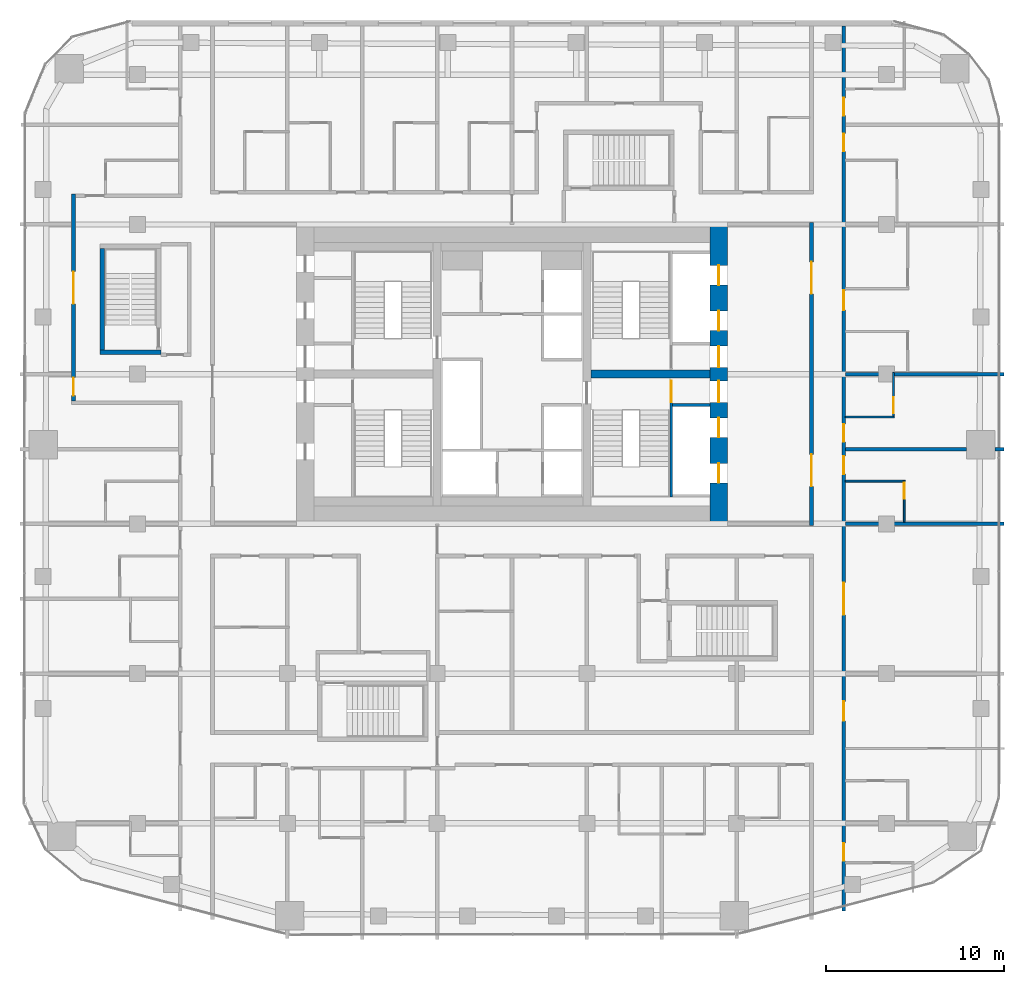
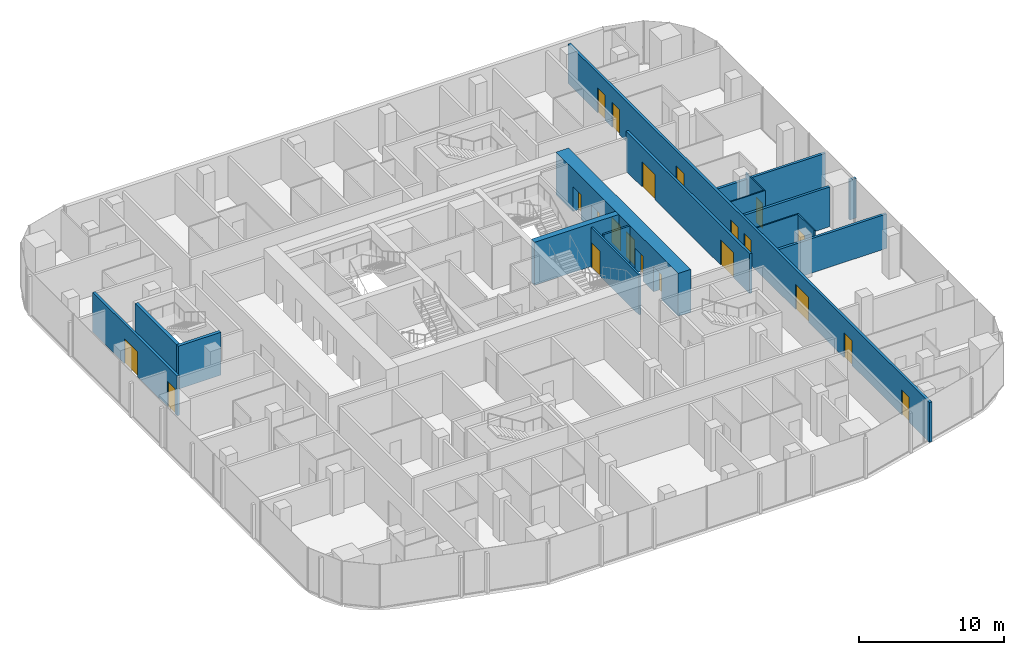
# One storey, part 17 of 23: 21 doors, 17 walls, 21 openings.
"""IFC4 building model written with IfcOpenShell, lengths in metres."""

from ifc_helpers import new_model, si_unit, direction, frame, frame_2d, origin, place, context, subcontext, project, spatial, rectangle, extrude, material, layer, layer_set, type_object, element, fill, save


model = new_model("IFC4")

# Units and contexts
model_context = context("Model", 3, precision=1e-05, world=origin(), true_north=direction((0.0, 1.0)))
body_context = subcontext(model_context, "Body", "Model", "MODEL_VIEW")
ifc_project = project(units=[si_unit("LENGTHUNIT", "METRE"), si_unit("AREAUNIT", "SQUARE_METRE"), si_unit("VOLUMEUNIT", "CUBIC_METRE"), si_unit("PLANEANGLEUNIT", "RADIAN"), si_unit("MASSUNIT", "GRAM", prefix="KILO")], contexts=[model_context])

# Site, building, storey
site_placement = place(None, origin())
site = spatial("IfcSite", under=ifc_project, at=site_placement, CompositionType="ELEMENT")
building_placement = place(site_placement, origin())
building = spatial("IfcBuilding", under=site, at=building_placement, Name="Marenta Gate Hotel Tower", CompositionType="ELEMENT")
storey_placement = place(building_placement, frame((0.0, 0.0, 119.300048828125)))
storey = spatial("IfcBuildingStorey", under=building, at=storey_placement, Name="L26", CompositionType="ELEMENT", Elevation=119.300048828125)

# Wall, openings, doors
ifc_material_1 = material(Name="Concrete blockwork", Category="masonry")
ifc_layer_1 = layer(ifc_material_1, 0.199951171875)
ifc_layer_set_1 = layer_set([ifc_layer_1], Name="Concrete blockwork")
wall_type_1 = type_object("IfcWallType", Name="Core boundary wall 200 REI 180", PredefinedType="PARTITIONING", material=ifc_layer_set_1)
wall_1_placement = place(storey_placement, frame((16.800048828125, -0.10009765625, 0.0), z_axis=(0.0, 0.0, 1.0), x_axis=(0.0, 1.0, 0.0)))
wall_1 = element("IfcWall", 1, at=wall_1_placement, inside=storey, type_object=wall_type_1, Name="L26-CP-BW-E", PredefinedType="PARTITIONING", context=body_context, shape_type="SweptSolid", body=[
    extrude(rectangle(XDim=17.0, YDim=0.199951171875, at=frame_2d((8.5, 0.0))), origin(), (0.0, 0.0, 1.0), 3.33984375),
])
opening_1_placement = place(wall_1_placement, frame((2.199951171875, 0.0, 0.0)))
opening_1 = element("IfcOpeningElement", 2, at=opening_1_placement, cuts=wall_1, Name="Opening ED-Ea-B", PredefinedType="OPENING", context=body_context, shape_type="SweptSolid", body=[
    extrude(rectangle(XDim=1.800048828125, YDim=2.10009765625, at=frame_2d((0.89990234375, 1.050048828125))), frame((0.0, 0.10009765625, 0.0), z_axis=(0.0, -1.0, 0.0), x_axis=(1.0, 0.0, 0.0)), (0.0, 0.0, 1.0), 0.199951171875),
])
opening_2_placement = place(wall_1_placement, frame((13.0, 0.0, 0.0)))
opening_2 = element("IfcOpeningElement", 3, at=opening_2_placement, cuts=wall_1, Name="Opening ED-Eb-B", PredefinedType="OPENING", context=body_context, shape_type="SweptSolid", body=[
    extrude(rectangle(XDim=1.800048828125, YDim=2.10009765625, at=frame_2d((0.89990234375, 1.050048828125))), frame((0.0, 0.10009765625, 0.0), z_axis=(0.0, -1.0, 0.0), x_axis=(1.0, 0.0, 0.0)), (0.0, 0.0, 1.0), 0.199951171875),
])
ifc_material_2 = material(Name="Steel", Category="steel")
door_type_1 = type_object("IfcDoorType", Name="Core lobby entrance door 1800x2100 EI 60", OperationType="DOUBLE_DOOR_SINGLE_SWING", PredefinedType="DOOR", material=ifc_material_2)
door_1_placement = place(opening_1_placement, origin())
door_1 = element("IfcDoor", 4, at=door_1_placement, inside=storey, type_object=door_type_1, Name="ED-Ea-B", OperationType="DOUBLE_DOOR_SINGLE_SWING", OverallHeight=2.10009765625, OverallWidth=1.800048828125, PredefinedType="DOOR", context=body_context, shape_type="SweptSolid", body=[
    extrude(rectangle(XDim=1.800048828125, YDim=2.10009765625, at=frame_2d((0.89990234375, 1.050048828125))), frame((0.0, 0.02490234375, 0.0), z_axis=(0.0, -1.0, 0.0), x_axis=(1.0, 0.0, 0.0)), (0.0, 0.0, 1.0), 0.050048828125),
])
fill(opening_1, door_1)
door_2_placement = place(opening_2_placement, origin())
door_2 = element("IfcDoor", 5, at=door_2_placement, inside=storey, type_object=door_type_1, Name="ED-Eb-B", OperationType="DOUBLE_DOOR_SINGLE_SWING", OverallHeight=2.10009765625, OverallWidth=1.800048828125, PredefinedType="DOOR", context=body_context, shape_type="SweptSolid", body=[
    extrude(rectangle(XDim=1.800048828125, YDim=2.10009765625, at=frame_2d((0.89990234375, 1.050048828125))), frame((0.0, 0.02490234375, 0.0), z_axis=(0.0, -1.0, 0.0), x_axis=(1.0, 0.0, 0.0)), (0.0, 0.0, 1.0), 0.050048828125),
])
fill(opening_2, door_2)

# Wall
ifc_material_3 = material(Name="Concrete C40", Category="concrete")
ifc_layer_2 = layer(ifc_material_3, 0.14990234375)
ifc_layer_set_2 = layer_set([ifc_layer_2], Name="Concrete C40")
wall_type_2 = type_object("IfcWallType", Name="Core shaft wall 150 REI 180", PredefinedType="SHEAR", material=ifc_layer_set_2)
wall_2_placement = place(storey_placement, frame((9.0, 6.675048828125, 0.0), z_axis=(0.0, 0.0, 1.0), x_axis=(1.0, 0.0, 0.0)))
element("IfcWall", 6, at=wall_2_placement, inside=storey, type_object=wall_type_2, Name="L26-SHF-SW-ES-2", PredefinedType="SHEAR", context=body_context, shape_type="SweptSolid", body=[
    extrude(rectangle(XDim=2.10009765625, YDim=0.14990234375, at=frame_2d((1.050048828125, 0.0))), origin(), (0.0, 0.0, 1.0), 3.599853515625),
])

# Wall, opening, door
ifc_material_4 = material(Name="Concrete C40", Category="concrete")
ifc_layer_3 = layer(ifc_material_4, 0.14990234375)
ifc_layer_set_3 = layer_set([ifc_layer_3], Name="Concrete C40")
wall_type_3 = type_object("IfcWallType", Name="Core stair enclosure wall 150 REI 180", PredefinedType="SHEAR", material=ifc_layer_set_3)
wall_3_placement = place(storey_placement, frame((8.925048828125, 1.5, 0.0), z_axis=(0.0, 0.0, 1.0), x_axis=(0.0, 1.0, 0.0)))
wall_3 = element("IfcWall", 7, at=wall_3_placement, inside=storey, type_object=wall_type_3, Name="L26-SHF-SW-ES-3", PredefinedType="SHEAR", context=body_context, shape_type="SweptSolid", body=[
    extrude(rectangle(XDim=6.60009765625, YDim=0.14990234375, at=frame_2d((3.300048828125, 0.0))), origin(), (0.0, 0.0, 1.0), 3.33984375),
])
opening_3_placement = place(wall_3_placement, frame((5.324951171875, 0.0, 0.0)))
opening_3 = element("IfcOpeningElement", 8, at=opening_3_placement, cuts=wall_3, Name="Opening SD-ES", PredefinedType="OPENING", context=body_context, shape_type="SweptSolid", body=[
    extrude(rectangle(XDim=1.199951171875, YDim=2.10009765625, at=frame_2d((0.60009765625, 1.050048828125))), frame((0.0, 0.074951171875, 0.0), z_axis=(0.0, -1.0, 0.0), x_axis=(1.0, 0.0, 0.0)), (0.0, 0.0, 1.0), 0.14990234375),
])
ifc_material_5 = material(Name="Steel", Category="steel")
door_type_2 = type_object("IfcDoorType", Name="Core stair door 1200x2100 FD60", OperationType="SINGLE_SWING_LEFT", PredefinedType="DOOR", material=ifc_material_5)
door_3_placement = place(opening_3_placement, origin())
door_3 = element("IfcDoor", 9, at=door_3_placement, inside=storey, type_object=door_type_2, Name="SD-ES", OperationType="SINGLE_SWING_LEFT", OverallHeight=2.10009765625, OverallWidth=1.199951171875, PredefinedType="DOOR", context=body_context, shape_type="SweptSolid", body=[
    extrude(rectangle(XDim=1.199951171875, YDim=2.10009765625, at=frame_2d((0.60009765625, 1.050048828125))), frame((0.0, 0.02490234375, 0.0), z_axis=(0.0, -1.0, 0.0), x_axis=(1.0, 0.0, 0.0)), (0.0, 0.0, 1.0), 0.050048828125),
])
fill(opening_3, door_3)

# Wall, openings, doors
ifc_material_6 = material(Name="Concrete C70", Category="concrete")
ifc_layer_4 = layer(ifc_material_6, 1.0)
ifc_layer_set_4 = layer_set([ifc_layer_4], Name="Concrete C70")
wall_type_4 = type_object("IfcWallType", Name="Core wall 1000 C70", PredefinedType="SHEAR", material=ifc_layer_set_4)
wall_4_placement = place(storey_placement, frame((11.60009765625, 0.0, 0.0), z_axis=(0.0, 0.0, 1.0), x_axis=(0.0, 1.0, 0.0)))
wall_4 = element("IfcWall", 10, at=wall_4_placement, inside=storey, type_object=wall_type_4, Name="L26-CORE-E", PredefinedType="SHEAR", context=body_context, shape_type="SweptSolid", body=[
    extrude(rectangle(XDim=16.800048828125, YDim=1.0, at=frame_2d((8.39990234375, 0.0))), origin(), (0.0, 0.0, 1.0), 3.599853515625),
])
opening_4_placement = place(wall_4_placement, frame((2.300048828125, 0.0, 0.0)))
opening_4 = element("IfcOpeningElement", 11, at=opening_4_placement, cuts=wall_4, Name="Opening LD-HR1", PredefinedType="OPENING", context=body_context, shape_type="SweptSolid", body=[
    extrude(rectangle(XDim=1.10009765625, YDim=2.10009765625, at=frame_2d((0.550048828125, 1.050048828125))), frame((0.0, 0.5, 0.0), z_axis=(0.0, -1.0, 0.0), x_axis=(1.0, 0.0, 0.0)), (0.0, 0.0, 1.0), 1.0),
])
opening_5_placement = place(wall_4_placement, frame((4.85009765625, 0.0, 0.0)))
opening_5 = element("IfcOpeningElement", 12, at=opening_5_placement, cuts=wall_4, Name="Opening LD-HR2", PredefinedType="OPENING", context=body_context, shape_type="SweptSolid", body=[
    extrude(rectangle(XDim=1.10009765625, YDim=2.10009765625, at=frame_2d((0.550048828125, 1.050048828125))), frame((0.0, 0.5, 0.0), z_axis=(0.0, -1.0, 0.0), x_axis=(1.0, 0.0, 0.0)), (0.0, 0.0, 1.0), 1.0),
])
opening_6_placement = place(wall_4_placement, frame((6.824951171875, 0.0, 0.0)))
opening_6 = element("IfcOpeningElement", 13, at=opening_6_placement, cuts=wall_4, Name="Opening PD-ES", PredefinedType="OPENING", context=body_context, shape_type="SweptSolid", body=[
    extrude(rectangle(XDim=1.199951171875, YDim=2.10009765625, at=frame_2d((0.60009765625, 1.050048828125))), frame((0.0, 0.5, 0.0), z_axis=(0.0, -1.0, 0.0), x_axis=(1.0, 0.0, 0.0)), (0.0, 0.0, 1.0), 1.0),
])
opening_7_placement = place(wall_4_placement, frame((13.39990234375, 0.0, 0.0)))
opening_7 = element("IfcOpeningElement", 14, at=opening_7_placement, cuts=wall_4, Name="Opening LD-HR4", PredefinedType="OPENING", context=body_context, shape_type="SweptSolid", body=[
    extrude(rectangle(XDim=1.10009765625, YDim=2.10009765625, at=frame_2d((0.550048828125, 1.050048828125))), frame((0.0, 0.5, 0.0), z_axis=(0.0, -1.0, 0.0), x_axis=(1.0, 0.0, 0.0)), (0.0, 0.0, 1.0), 1.0),
])
opening_8_placement = place(wall_4_placement, frame((10.85009765625, 0.0, 0.0)))
opening_8 = element("IfcOpeningElement", 15, at=opening_8_placement, cuts=wall_4, Name="Opening LD-HR3", PredefinedType="OPENING", context=body_context, shape_type="SweptSolid", body=[
    extrude(rectangle(XDim=1.10009765625, YDim=2.10009765625, at=frame_2d((0.550048828125, 1.050048828125))), frame((0.0, 0.5, 0.0), z_axis=(0.0, -1.0, 0.0), x_axis=(1.0, 0.0, 0.0)), (0.0, 0.0, 1.0), 1.0),
])
opening_9_placement = place(wall_4_placement, frame((8.77490234375, 0.0, 0.0)))
opening_9 = element("IfcOpeningElement", 16, at=opening_9_placement, cuts=wall_4, Name="Opening PD-EN", PredefinedType="OPENING", context=body_context, shape_type="SweptSolid", body=[
    extrude(rectangle(XDim=1.199951171875, YDim=2.10009765625, at=frame_2d((0.60009765625, 1.050048828125))), frame((0.0, 0.5, 0.0), z_axis=(0.0, -1.0, 0.0), x_axis=(1.0, 0.0, 0.0)), (0.0, 0.0, 1.0), 1.0),
])
ifc_material_7 = material(Name="Steel", Category="steel")
door_type_3 = type_object("IfcDoorType", Name="Core lift landing door 1100x2100 E 60", OperationType="SLIDING_TO_LEFT", PredefinedType="DOOR", material=ifc_material_7)
door_4_placement = place(opening_4_placement, origin())
door_4 = element("IfcDoor", 17, at=door_4_placement, inside=storey, type_object=door_type_3, Name="LD-HR1", OperationType="SLIDING_TO_LEFT", OverallHeight=2.10009765625, OverallWidth=1.10009765625, PredefinedType="DOOR", context=body_context, shape_type="SweptSolid", body=[
    extrude(rectangle(XDim=1.10009765625, YDim=2.10009765625, at=frame_2d((0.550048828125, 1.050048828125))), frame((0.0, 0.02490234375, 0.0), z_axis=(0.0, -1.0, 0.0), x_axis=(1.0, 0.0, 0.0)), (0.0, 0.0, 1.0), 0.050048828125),
])
fill(opening_4, door_4)
door_5_placement = place(opening_5_placement, origin())
door_5 = element("IfcDoor", 18, at=door_5_placement, inside=storey, type_object=door_type_3, Name="LD-HR2", OperationType="SLIDING_TO_LEFT", OverallHeight=2.10009765625, OverallWidth=1.10009765625, PredefinedType="DOOR", context=body_context, shape_type="SweptSolid", body=[
    extrude(rectangle(XDim=1.10009765625, YDim=2.10009765625, at=frame_2d((0.550048828125, 1.050048828125))), frame((0.0, 0.02490234375, 0.0), z_axis=(0.0, -1.0, 0.0), x_axis=(1.0, 0.0, 0.0)), (0.0, 0.0, 1.0), 0.050048828125),
])
fill(opening_5, door_5)
door_6_placement = place(opening_7_placement, origin())
door_6 = element("IfcDoor", 19, at=door_6_placement, inside=storey, type_object=door_type_3, Name="LD-HR4", OperationType="SLIDING_TO_LEFT", OverallHeight=2.10009765625, OverallWidth=1.10009765625, PredefinedType="DOOR", context=body_context, shape_type="SweptSolid", body=[
    extrude(rectangle(XDim=1.10009765625, YDim=2.10009765625, at=frame_2d((0.550048828125, 1.050048828125))), frame((0.0, 0.02490234375, 0.0), z_axis=(0.0, -1.0, 0.0), x_axis=(1.0, 0.0, 0.0)), (0.0, 0.0, 1.0), 0.050048828125),
])
fill(opening_7, door_6)
door_7_placement = place(opening_8_placement, origin())
door_7 = element("IfcDoor", 20, at=door_7_placement, inside=storey, type_object=door_type_3, Name="LD-HR3", OperationType="SLIDING_TO_LEFT", OverallHeight=2.10009765625, OverallWidth=1.10009765625, PredefinedType="DOOR", context=body_context, shape_type="SweptSolid", body=[
    extrude(rectangle(XDim=1.10009765625, YDim=2.10009765625, at=frame_2d((0.550048828125, 1.050048828125))), frame((0.0, 0.02490234375, 0.0), z_axis=(0.0, -1.0, 0.0), x_axis=(1.0, 0.0, 0.0)), (0.0, 0.0, 1.0), 0.050048828125),
])
fill(opening_8, door_7)
ifc_material_8 = material(Name="Steel", Category="steel")
door_type_4 = type_object("IfcDoorType", Name="Core lobby door 1200x2100 FD60", OperationType="SINGLE_SWING_LEFT", PredefinedType="DOOR", material=ifc_material_8)
door_8_placement = place(opening_6_placement, origin())
door_8 = element("IfcDoor", 21, at=door_8_placement, inside=storey, type_object=door_type_4, Name="PD-ES", OperationType="SINGLE_SWING_LEFT", OverallHeight=2.10009765625, OverallWidth=1.199951171875, PredefinedType="DOOR", context=body_context, shape_type="SweptSolid", body=[
    extrude(rectangle(XDim=1.199951171875, YDim=2.10009765625, at=frame_2d((0.60009765625, 1.050048828125))), frame((0.0, 0.02490234375, 0.0), z_axis=(0.0, -1.0, 0.0), x_axis=(1.0, 0.0, 0.0)), (0.0, 0.0, 1.0), 0.050048828125),
])
fill(opening_6, door_8)
door_9_placement = place(opening_9_placement, origin())
door_9 = element("IfcDoor", 22, at=door_9_placement, inside=storey, type_object=door_type_4, Name="PD-EN", OperationType="SINGLE_SWING_LEFT", OverallHeight=2.10009765625, OverallWidth=1.199951171875, PredefinedType="DOOR", context=body_context, shape_type="SweptSolid", body=[
    extrude(rectangle(XDim=1.199951171875, YDim=2.10009765625, at=frame_2d((0.60009765625, 1.050048828125))), frame((0.0, 0.02490234375, 0.0), z_axis=(0.0, -1.0, 0.0), x_axis=(1.0, 0.0, 0.0)), (0.0, 0.0, 1.0), 0.050048828125),
])
fill(opening_9, door_9)

# Walls
ifc_material_9 = material(Name="Concrete C70", Category="concrete")
ifc_layer_5 = layer(ifc_material_9, 0.449951171875)
ifc_layer_set_5 = layer_set([ifc_layer_5], Name="Concrete C70")
wall_type_5 = type_object("IfcWallType", Name="Core web 450 C70", PredefinedType="SHEAR", material=ifc_layer_set_5)
wall_5_placement = place(storey_placement, frame((4.425048828125, 8.39990234375, 0.0), z_axis=(0.0, 0.0, 1.0), x_axis=(1.0, 0.0, 0.0)))
element("IfcWall", 23, at=wall_5_placement, inside=storey, type_object=wall_type_5, Name="L26-CORE-W4", PredefinedType="SHEAR", context=body_context, shape_type="SweptSolid", body=[
    extrude(rectangle(XDim=6.675048828125, YDim=0.449951171875, at=frame_2d((3.33740234375, 0.0))), origin(), (0.0, 0.0, 1.0), 3.599853515625),
])
ifc_material_10 = material(Name="Concrete C40", Category="concrete")
ifc_layer_6 = layer(ifc_material_10, 0.25)
ifc_layer_set_6 = layer_set([ifc_layer_6], Name="Concrete C40")
wall_type_6 = type_object("IfcWallType", Name="Remote stair enclosure wall 250 REI 180", PredefinedType="SHEAR", material=ifc_layer_set_6)
wall_6_placement = place(storey_placement, frame((-23.10009765625, 9.625, 0.099853515625), z_axis=(0.0, 0.0, 1.0), x_axis=(1.0, 0.0, 0.0)))
element("IfcWall", 24, at=wall_6_placement, inside=storey, type_object=wall_type_6, Name="L26-RS-Z1-3-W1", PredefinedType="SHEAR", context=body_context, shape_type="SweptSolid", body=[
    extrude(rectangle(XDim=3.400146484375, YDim=0.25, at=frame_2d((1.7001953125, 0.0))), origin(), (0.0, 0.0, 1.0), 3.60009765625),
])
wall_7_placement = place(storey_placement, frame((-22.97509765625, 9.75, 0.099853515625), z_axis=(0.0, 0.0, 1.0), x_axis=(0.0, 1.0, 0.0)))
element("IfcWall", 25, at=wall_7_placement, inside=storey, type_object=wall_type_6, Name="L26-RS-Z1-3-W3", PredefinedType="SHEAR", context=body_context, shape_type="SweptSolid", body=[
    extrude(rectangle(XDim=5.699951171875, YDim=0.25, at=frame_2d((2.85009765625, 0.0))), origin(), (0.0, 0.0, 1.0), 3.60009765625),
])

# Wall, openings, doors
ifc_material_11 = material(Name="Gypsum board on steel stud", Category="steel")
ifc_layer_7 = layer(ifc_material_11, 0.199951171875)
ifc_layer_set_7 = layer_set([ifc_layer_7], Name="Gypsum board on steel stud")
wall_type_7 = type_object("IfcWallType", Name="Room corridor wall 200 EI 60", PredefinedType="PARTITIONING", material=ifc_layer_set_7)
wall_8_placement = place(storey_placement, frame((18.60009765625, -21.7080078125, 0.0), z_axis=(0.0, 0.0, 1.0), x_axis=(0.0, 1.0, 0.0)))
wall_8 = element("IfcWall", 26, at=wall_8_placement, inside=storey, type_object=wall_type_7, Name="L26-PTN-W010", PredefinedType="PARTITIONING", context=body_context, shape_type="SweptSolid", body=[
    extrude(rectangle(XDim=49.64794921875, YDim=0.199951171875, at=frame_2d((24.823974609375, 0.0))), origin(), (0.0, 0.0, 1.0), 3.33984375),
])
opening_10_placement = place(wall_8_placement, frame((2.800048828125, 0.0, 0.0)))
opening_10 = element("IfcOpeningElement", 27, at=opening_10_placement, cuts=wall_8, Name="Opening G09-09", PredefinedType="OPENING", context=body_context, shape_type="SweptSolid", body=[
    extrude(rectangle(XDim=1.0, YDim=2.10009765625, at=frame_2d((0.5, 1.050048828125))), frame((0.0, 0.10009765625, 0.0), z_axis=(0.0, -1.0, 0.0), x_axis=(1.0, 0.0, 0.0)), (0.0, 0.0, 1.0), 0.199951171875),
])
opening_11_placement = place(wall_8_placement, frame((10.657958984375, 0.0, 0.0)))
opening_11 = element("IfcOpeningElement", 28, at=opening_11_placement, cuts=wall_8, Name="Opening G09-11", PredefinedType="OPENING", context=body_context, shape_type="SweptSolid", body=[
    extrude(rectangle(XDim=1.10009765625, YDim=2.10009765625, at=frame_2d((0.550048828125, 1.050048828125))), frame((0.0, 0.10009765625, 0.0), z_axis=(0.0, -1.0, 0.0), x_axis=(1.0, 0.0, 0.0)), (0.0, 0.0, 1.0), 0.199951171875),
])
opening_12_placement = place(wall_8_placement, frame((16.60791015625, 0.0, 0.0)))
opening_12 = element("IfcOpeningElement", 29, at=opening_12_placement, cuts=wall_8, Name="Opening G09-14", PredefinedType="OPENING", context=body_context, shape_type="SweptSolid", body=[
    extrude(rectangle(XDim=1.800048828125, YDim=2.10009765625, at=frame_2d((0.89990234375, 1.050048828125))), frame((0.0, 0.10009765625, 0.0), z_axis=(0.0, -1.0, 0.0), x_axis=(1.0, 0.0, 0.0)), (0.0, 0.0, 1.0), 0.199951171875),
])
opening_13_placement = place(wall_8_placement, frame((24.508056640625, 0.0, 0.0)))
opening_13 = element("IfcOpeningElement", 30, at=opening_13_placement, cuts=wall_8, Name="Opening G09-15", PredefinedType="OPENING", context=body_context, shape_type="SweptSolid", body=[
    extrude(rectangle(XDim=1.0, YDim=2.10009765625, at=frame_2d((0.5, 1.050048828125))), frame((0.0, 0.10009765625, 0.0), z_axis=(0.0, -1.0, 0.0), x_axis=(1.0, 0.0, 0.0)), (0.0, 0.0, 1.0), 0.199951171875),
])
opening_14_placement = place(wall_8_placement, frame((26.30810546875, 0.0, 0.0)))
opening_14 = element("IfcOpeningElement", 31, at=opening_14_placement, cuts=wall_8, Name="Opening G09-17", PredefinedType="OPENING", context=body_context, shape_type="SweptSolid", body=[
    extrude(rectangle(XDim=1.0, YDim=2.10009765625, at=frame_2d((0.5, 1.050048828125))), frame((0.0, 0.10009765625, 0.0), z_axis=(0.0, -1.0, 0.0), x_axis=(1.0, 0.0, 0.0)), (0.0, 0.0, 1.0), 0.199951171875),
])
opening_15_placement = place(wall_8_placement, frame((33.7080078125, 0.0, 0.0)))
opening_15 = element("IfcOpeningElement", 32, at=opening_15_placement, cuts=wall_8, Name="Opening G09-19", PredefinedType="OPENING", context=body_context, shape_type="SweptSolid", body=[
    extrude(rectangle(XDim=1.10009765625, YDim=2.10009765625, at=frame_2d((0.550048828125, 1.050048828125))), frame((0.0, 0.10009765625, 0.0), z_axis=(0.0, -1.0, 0.0), x_axis=(1.0, 0.0, 0.0)), (0.0, 0.0, 1.0), 0.199951171875),
])
opening_16_placement = place(wall_8_placement, frame((42.60791015625, 0.0, 0.0)))
opening_16 = element("IfcOpeningElement", 33, at=opening_16_placement, cuts=wall_8, Name="Opening G09-22", PredefinedType="OPENING", context=body_context, shape_type="SweptSolid", body=[
    extrude(rectangle(XDim=1.0, YDim=2.10009765625, at=frame_2d((0.5, 1.050048828125))), frame((0.0, 0.10009765625, 0.0), z_axis=(0.0, -1.0, 0.0), x_axis=(1.0, 0.0, 0.0)), (0.0, 0.0, 1.0), 0.199951171875),
])
opening_17_placement = place(wall_8_placement, frame((44.60791015625, 0.0, 0.0)))
opening_17 = element("IfcOpeningElement", 34, at=opening_17_placement, cuts=wall_8, Name="Opening G09-24", PredefinedType="OPENING", context=body_context, shape_type="SweptSolid", body=[
    extrude(rectangle(XDim=1.0, YDim=2.10009765625, at=frame_2d((0.5, 1.050048828125))), frame((0.0, 0.10009765625, 0.0), z_axis=(0.0, -1.0, 0.0), x_axis=(1.0, 0.0, 0.0)), (0.0, 0.0, 1.0), 0.199951171875),
])
ifc_material_12 = material(Name="Timber door leaf", Category="wood")
door_type_5 = type_object("IfcDoorType", Name="Guest room door 1000x2100 EI 30", OperationType="NOTDEFINED", PredefinedType="DOOR", material=ifc_material_12)
door_10_placement = place(opening_10_placement, origin())
door_10 = element("IfcDoor", 35, at=door_10_placement, inside=storey, type_object=door_type_5, Name="L26-PD-D009", OperationType="SINGLE_SWING_RIGHT", OverallHeight=2.10009765625, OverallWidth=1.0, PredefinedType="DOOR", context=body_context, shape_type="SweptSolid", body=[
    extrude(rectangle(XDim=1.0, YDim=2.10009765625, at=frame_2d((0.5, 1.050048828125))), frame((0.0, 0.02490234375, 0.0), z_axis=(0.0, -1.0, 0.0), x_axis=(1.0, 0.0, 0.0)), (0.0, 0.0, 1.0), 0.050048828125),
])
fill(opening_10, door_10)
door_11_placement = place(opening_13_placement, origin())
door_11 = element("IfcDoor", 36, at=door_11_placement, inside=storey, type_object=door_type_5, Name="L26-PD-D015", OperationType="SINGLE_SWING_LEFT", OverallHeight=2.10009765625, OverallWidth=1.0, PredefinedType="DOOR", context=body_context, shape_type="SweptSolid", body=[
    extrude(rectangle(XDim=1.0, YDim=2.10009765625, at=frame_2d((0.5, 1.050048828125))), frame((0.0, 0.02490234375, 0.0), z_axis=(0.0, -1.0, 0.0), x_axis=(1.0, 0.0, 0.0)), (0.0, 0.0, 1.0), 0.050048828125),
])
fill(opening_13, door_11)
door_12_placement = place(opening_14_placement, origin())
door_12 = element("IfcDoor", 37, at=door_12_placement, inside=storey, type_object=door_type_5, Name="L26-PD-D017", OperationType="SINGLE_SWING_LEFT", OverallHeight=2.10009765625, OverallWidth=1.0, PredefinedType="DOOR", context=body_context, shape_type="SweptSolid", body=[
    extrude(rectangle(XDim=1.0, YDim=2.10009765625, at=frame_2d((0.5, 1.050048828125))), frame((0.0, 0.02490234375, 0.0), z_axis=(0.0, -1.0, 0.0), x_axis=(1.0, 0.0, 0.0)), (0.0, 0.0, 1.0), 0.050048828125),
])
fill(opening_14, door_12)
door_13_placement = place(opening_16_placement, origin())
door_13 = element("IfcDoor", 38, at=door_13_placement, inside=storey, type_object=door_type_5, Name="L26-PD-D022", OperationType="SINGLE_SWING_RIGHT", OverallHeight=2.10009765625, OverallWidth=1.0, PredefinedType="DOOR", context=body_context, shape_type="SweptSolid", body=[
    extrude(rectangle(XDim=1.0, YDim=2.10009765625, at=frame_2d((0.5, 1.050048828125))), frame((0.0, 0.02490234375, 0.0), z_axis=(0.0, -1.0, 0.0), x_axis=(1.0, 0.0, 0.0)), (0.0, 0.0, 1.0), 0.050048828125),
])
fill(opening_16, door_13)
door_14_placement = place(opening_17_placement, origin())
door_14 = element("IfcDoor", 39, at=door_14_placement, inside=storey, type_object=door_type_5, Name="L26-PD-D024", OperationType="SINGLE_SWING_RIGHT", OverallHeight=2.10009765625, OverallWidth=1.0, PredefinedType="DOOR", context=body_context, shape_type="SweptSolid", body=[
    extrude(rectangle(XDim=1.0, YDim=2.10009765625, at=frame_2d((0.5, 1.050048828125))), frame((0.0, 0.02490234375, 0.0), z_axis=(0.0, -1.0, 0.0), x_axis=(1.0, 0.0, 0.0)), (0.0, 0.0, 1.0), 0.050048828125),
])
fill(opening_17, door_14)
ifc_material_13 = material(Name="Timber door leaf", Category="wood")
door_type_6 = type_object("IfcDoorType", Name="Guest room door 1100x2100 EI 30", OperationType="NOTDEFINED", PredefinedType="DOOR", material=ifc_material_13)
door_15_placement = place(opening_11_placement, origin())
door_15 = element("IfcDoor", 40, at=door_15_placement, inside=storey, type_object=door_type_6, Name="L26-PD-D011", OperationType="SINGLE_SWING_LEFT", OverallHeight=2.10009765625, OverallWidth=1.10009765625, PredefinedType="DOOR", context=body_context, shape_type="SweptSolid", body=[
    extrude(rectangle(XDim=1.10009765625, YDim=2.10009765625, at=frame_2d((0.550048828125, 1.050048828125))), frame((0.0, 0.02490234375, 0.0), z_axis=(0.0, -1.0, 0.0), x_axis=(1.0, 0.0, 0.0)), (0.0, 0.0, 1.0), 0.050048828125),
])
fill(opening_11, door_15)
door_16_placement = place(opening_15_placement, origin())
door_16 = element("IfcDoor", 41, at=door_16_placement, inside=storey, type_object=door_type_6, Name="L26-PD-D019", OperationType="SINGLE_SWING_LEFT", OverallHeight=2.10009765625, OverallWidth=1.10009765625, PredefinedType="DOOR", context=body_context, shape_type="SweptSolid", body=[
    extrude(rectangle(XDim=1.10009765625, YDim=2.10009765625, at=frame_2d((0.550048828125, 1.050048828125))), frame((0.0, 0.02490234375, 0.0), z_axis=(0.0, -1.0, 0.0), x_axis=(1.0, 0.0, 0.0)), (0.0, 0.0, 1.0), 0.050048828125),
])
fill(opening_15, door_16)
ifc_material_14 = material(Name="Timber door leaf", Category="wood")
door_type_7 = type_object("IfcDoorType", Name="Room amenity door 1800x2100 EI 30", OperationType="DOUBLE_DOOR_SINGLE_SWING", PredefinedType="DOOR", material=ifc_material_14)
door_17_placement = place(opening_12_placement, origin())
door_17 = element("IfcDoor", 42, at=door_17_placement, inside=storey, type_object=door_type_7, Name="L26-PD-D014", OperationType="DOUBLE_DOOR_SINGLE_SWING", OverallHeight=2.10009765625, OverallWidth=1.800048828125, PredefinedType="DOOR", context=body_context, shape_type="SweptSolid", body=[
    extrude(rectangle(XDim=1.800048828125, YDim=2.10009765625, at=frame_2d((0.89990234375, 1.050048828125))), frame((0.0, 0.02490234375, 0.0), z_axis=(0.0, -1.0, 0.0), x_axis=(1.0, 0.0, 0.0)), (0.0, 0.0, 1.0), 0.050048828125),
])
fill(opening_12, door_17)

wall_9_placement = place(storey_placement, frame((-24.60009765625, 6.89990234375, 0.0), z_axis=(0.0, 0.0, 1.0), x_axis=(0.0, 1.0, 0.0)))
wall_9 = element("IfcWall", 43, at=wall_9_placement, inside=storey, type_object=wall_type_7, Name="L26-PTN-W128", PredefinedType="PARTITIONING", context=body_context, shape_type="SweptSolid", body=[
    extrude(rectangle(XDim=11.60009765625, YDim=0.199951171875, at=frame_2d((5.800048828125, 0.0))), origin(), (0.0, 0.0, 1.0), 3.33984375),
])
opening_18_placement = place(wall_9_placement, frame((5.449951171875, 0.0, 0.0)))
opening_18 = element("IfcOpeningElement", 44, at=opening_18_placement, cuts=wall_9, Name="Opening G09-63", PredefinedType="OPENING", context=body_context, shape_type="SweptSolid", body=[
    extrude(rectangle(XDim=1.800048828125, YDim=2.10009765625, at=frame_2d((0.89990234375, 1.050048828125))), frame((0.0, 0.10009765625, 0.0), z_axis=(0.0, -1.0, 0.0), x_axis=(1.0, 0.0, 0.0)), (0.0, 0.0, 1.0), 0.199951171875),
])
opening_19_placement = place(wall_9_placement, frame((0.300048828125, 0.0, 0.0)))
opening_19 = element("IfcOpeningElement", 45, at=opening_19_placement, cuts=wall_9, Name="Opening G09-72", PredefinedType="OPENING", context=body_context, shape_type="SweptSolid", body=[
    extrude(rectangle(XDim=1.0, YDim=2.10009765625, at=frame_2d((0.5, 1.050048828125))), frame((0.0, 0.10009765625, 0.0), z_axis=(0.0, -1.0, 0.0), x_axis=(1.0, 0.0, 0.0)), (0.0, 0.0, 1.0), 0.199951171875),
])
ifc_material_15 = material(Name="Timber door leaf", Category="wood")
door_type_8 = type_object("IfcDoorType", Name="Room amenity door 1000x2100 EI 30", OperationType="NOTDEFINED", PredefinedType="DOOR", material=ifc_material_15)
door_18_placement = place(opening_19_placement, origin())
door_18 = element("IfcDoor", 46, at=door_18_placement, inside=storey, type_object=door_type_8, Name="L26-PD-D072", OperationType="SINGLE_SWING_LEFT", OverallHeight=2.10009765625, OverallWidth=1.0, PredefinedType="DOOR", context=body_context, shape_type="SweptSolid", body=[
    extrude(rectangle(XDim=1.0, YDim=2.10009765625, at=frame_2d((0.5, 1.050048828125))), frame((0.0, 0.02490234375, 0.0), z_axis=(0.0, -1.0, 0.0), x_axis=(1.0, 0.0, 0.0)), (0.0, 0.0, 1.0), 0.050048828125),
])
fill(opening_19, door_18)
door_19_placement = place(opening_18_placement, origin())
door_19 = element("IfcDoor", 47, at=door_19_placement, inside=storey, type_object=door_type_7, Name="L26-PD-D063", OperationType="DOUBLE_DOOR_SINGLE_SWING", OverallHeight=2.10009765625, OverallWidth=1.800048828125, PredefinedType="DOOR", context=body_context, shape_type="SweptSolid", body=[
    extrude(rectangle(XDim=1.800048828125, YDim=2.10009765625, at=frame_2d((0.89990234375, 1.050048828125))), frame((0.0, 0.02490234375, 0.0), z_axis=(0.0, -1.0, 0.0), x_axis=(1.0, 0.0, 0.0)), (0.0, 0.0, 1.0), 0.050048828125),
])
fill(opening_18, door_19)

# Wall, opening, door
ifc_material_16 = material(Name="Gypsum board on steel stud", Category="steel")
ifc_layer_8 = layer(ifc_material_16, 0.10009765625)
ifc_layer_set_8 = layer_set([ifc_layer_8], Name="Gypsum board on steel stud")
wall_type_8 = type_object("IfcWallType", Name="Room partition 100", PredefinedType="PARTITIONING", material=ifc_layer_set_8)
wall_10_placement = place(storey_placement, frame((22.0, 0.10009765625, 0.0), z_axis=(0.0, 0.0, 1.0), x_axis=(0.0, 1.0, 0.0)))
wall_10 = element("IfcWall", 48, at=wall_10_placement, inside=storey, type_object=wall_type_8, Name="L26-PTN-W005", PredefinedType="PARTITIONING", context=body_context, shape_type="SweptSolid", body=[
    extrude(rectangle(XDim=2.349853515625, YDim=0.10009765625, at=frame_2d((1.1748046875, 0.0))), origin(), (0.0, 0.0, 1.0), 3.33984375),
])
opening_20_placement = place(wall_10_placement, frame((1.300048828125, 0.0, 0.0)))
opening_20 = element("IfcOpeningElement", 49, at=opening_20_placement, cuts=wall_10, Name="Opening G09-16", PredefinedType="OPENING", context=body_context, shape_type="SweptSolid", body=[
    extrude(rectangle(XDim=0.89990234375, YDim=2.10009765625, at=frame_2d((0.449951171875, 1.050048828125))), frame((0.0, 0.050048828125, 0.0), z_axis=(0.0, -1.0, 0.0), x_axis=(1.0, 0.0, 0.0)), (0.0, 0.0, 1.0), 0.10009765625),
])
ifc_material_17 = material(Name="Timber door leaf", Category="wood")
door_type_9 = type_object("IfcDoorType", Name="Guest bathroom door 900x2100", OperationType="NOTDEFINED", PredefinedType="DOOR", material=ifc_material_17)
door_20_placement = place(opening_20_placement, origin())
door_20 = element("IfcDoor", 50, at=door_20_placement, inside=storey, type_object=door_type_9, Name="L26-PD-D016", OperationType="SINGLE_SWING_RIGHT", OverallHeight=2.10009765625, OverallWidth=0.89990234375, PredefinedType="DOOR", context=body_context, shape_type="SweptSolid", body=[
    extrude(rectangle(XDim=0.89990234375, YDim=2.10009765625, at=frame_2d((0.449951171875, 1.050048828125))), frame((0.0, 0.02490234375, 0.0), z_axis=(0.0, -1.0, 0.0), x_axis=(1.0, 0.0, 0.0)), (0.0, 0.0, 1.0), 0.050048828125),
])
fill(opening_20, door_20)

wall_11_placement = place(storey_placement, frame((21.39990234375, 6.050048828125, 0.0), z_axis=(0.0, 0.0, 1.0), x_axis=(0.0, 1.0, 0.0)))
wall_11 = element("IfcWall", 51, at=wall_11_placement, inside=storey, type_object=wall_type_8, Name="L26-PTN-W008", PredefinedType="PARTITIONING", context=body_context, shape_type="SweptSolid", body=[
    extrude(rectangle(XDim=2.449951171875, YDim=0.10009765625, at=frame_2d((1.22509765625, 0.0))), origin(), (0.0, 0.0, 1.0), 3.33984375),
])
opening_21_placement = place(wall_11_placement, frame((0.14990234375, 0.0, 0.0)))
opening_21 = element("IfcOpeningElement", 52, at=opening_21_placement, cuts=wall_11, Name="Opening G09-18", PredefinedType="OPENING", context=body_context, shape_type="SweptSolid", body=[
    extrude(rectangle(XDim=0.89990234375, YDim=2.10009765625, at=frame_2d((0.449951171875, 1.050048828125))), frame((0.0, 0.050048828125, 0.0), z_axis=(0.0, -1.0, 0.0), x_axis=(1.0, 0.0, 0.0)), (0.0, 0.0, 1.0), 0.10009765625),
])
door_21_placement = place(opening_21_placement, origin())
door_21 = element("IfcDoor", 53, at=door_21_placement, inside=storey, type_object=door_type_9, Name="L26-PD-D018", OperationType="SINGLE_SWING_LEFT", OverallHeight=2.10009765625, OverallWidth=0.89990234375, PredefinedType="DOOR", context=body_context, shape_type="SweptSolid", body=[
    extrude(rectangle(XDim=0.89990234375, YDim=2.10009765625, at=frame_2d((0.449951171875, 1.050048828125))), frame((0.0, 0.02490234375, 0.0), z_axis=(0.0, -1.0, 0.0), x_axis=(1.0, 0.0, 0.0)), (0.0, 0.0, 1.0), 0.050048828125),
])
fill(opening_21, door_21)

# Walls
wall_12_placement = place(storey_placement, frame((18.699951171875, 2.39990234375, 0.0), z_axis=(0.0, 0.0, 1.0), x_axis=(1.0, 0.0, 0.0)))
element("IfcWall", 54, at=wall_12_placement, inside=storey, type_object=wall_type_8, Name="L26-PTN-W069", PredefinedType="PARTITIONING", context=body_context, shape_type="SweptSolid", body=[
    extrude(rectangle(XDim=3.25, YDim=0.10009765625, at=frame_2d((1.625, 0.0))), origin(), (0.0, 0.0, 1.0), 3.33984375),
])
wall_13_placement = place(storey_placement, frame((18.699951171875, 6.0, 0.0), z_axis=(0.0, 0.0, 1.0), x_axis=(1.0, 0.0, 0.0)))
element("IfcWall", 55, at=wall_13_placement, inside=storey, type_object=wall_type_8, Name="L26-PTN-W077", PredefinedType="PARTITIONING", context=body_context, shape_type="SweptSolid", body=[
    extrude(rectangle(XDim=2.75, YDim=0.10009765625, at=frame_2d((1.375, 0.0))), origin(), (0.0, 0.0, 1.0), 3.33984375),
])
ifc_material_18 = material(Name="Gypsum board on steel stud", Category="steel")
ifc_layer_9 = layer(ifc_material_18, 0.199951171875)
ifc_layer_set_9 = layer_set([ifc_layer_9], Name="Gypsum board on steel stud")
wall_type_9 = type_object("IfcWallType", Name="Room party wall 200 EI 60", PredefinedType="PARTITIONING", material=ifc_layer_set_9)
wall_14_placement = place(storey_placement, frame((18.699951171875, 0.0, 0.0), z_axis=(0.0, 0.0, 1.0), x_axis=(1.0, 0.0, 0.0)))
element("IfcWall", 56, at=wall_14_placement, inside=storey, type_object=wall_type_9, Name="L26-PTN-W066", PredefinedType="PARTITIONING", context=body_context, shape_type="SweptSolid", body=[
    extrude(rectangle(XDim=8.900146484375, YDim=0.199951171875, at=frame_2d((4.4501953125, 0.0))), origin(), (0.0, 0.0, 1.0), 2.889892578125),
])
wall_15_placement = place(storey_placement, frame((18.699951171875, 4.199951171875, 0.0), z_axis=(0.0, 0.0, 1.0), x_axis=(1.0, 0.0, 0.0)))
element("IfcWall", 57, at=wall_15_placement, inside=storey, type_object=wall_type_9, Name="L26-PTN-W074", PredefinedType="PARTITIONING", context=body_context, shape_type="SweptSolid", body=[
    extrude(rectangle(XDim=6.800048828125, YDim=0.199951171875, at=frame_2d((3.39990234375, 0.0))), origin(), (0.0, 0.0, 1.0), 3.33984375),
])
wall_16_placement = place(storey_placement, frame((27.10009765625, 4.199951171875, 0.0), z_axis=(0.0, 0.0, 1.0), x_axis=(1.0, 0.0, 0.0)))
element("IfcWall", 58, at=wall_16_placement, inside=storey, type_object=wall_type_9, Name="L26-PTN-W134", PredefinedType="PARTITIONING", context=body_context, shape_type="SweptSolid", body=[
    extrude(rectangle(XDim=0.5, YDim=0.199951171875, at=frame_2d((0.25, 0.0))), origin(), (0.0, 0.0, 1.0), 3.33984375),
])
wall_17_placement = place(storey_placement, frame((18.699951171875, 8.39990234375, 0.0), z_axis=(0.0, 0.0, 1.0), x_axis=(1.0, 0.0, 0.0)))
element("IfcWall", 59, at=wall_17_placement, inside=storey, type_object=wall_type_9, Name="L26-PTN-W083", PredefinedType="PARTITIONING", context=body_context, shape_type="SweptSolid", body=[
    extrude(rectangle(XDim=8.900146484375, YDim=0.199951171875, at=frame_2d((4.4501953125, 0.0))), origin(), (0.0, 0.0, 1.0), 2.889892578125),
])

save(model, "model.ifc")
